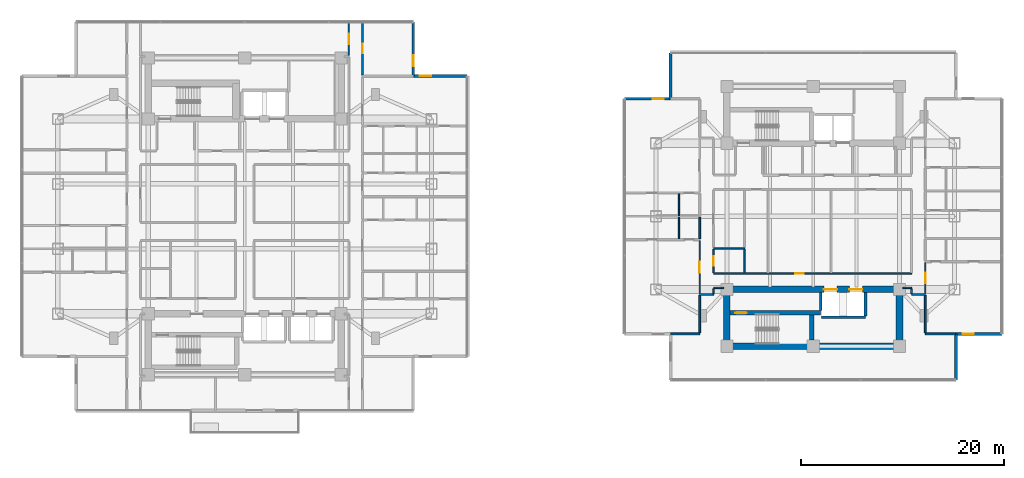
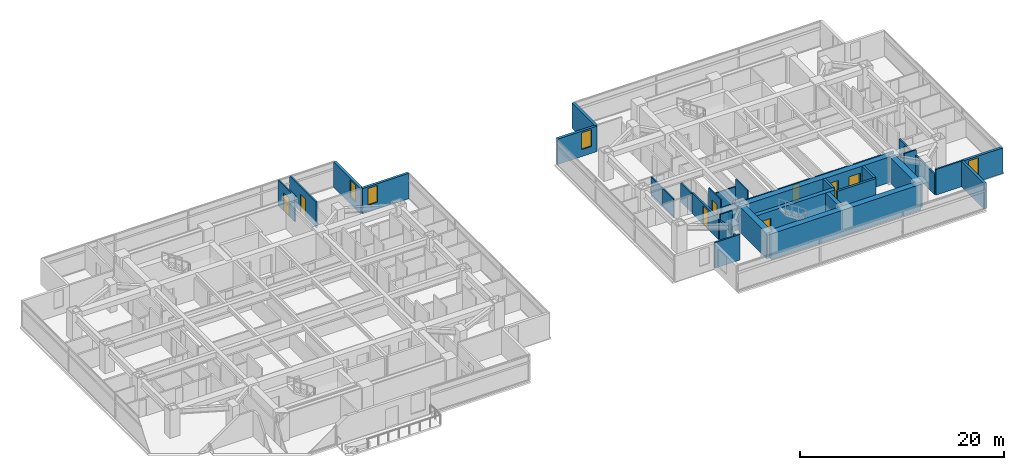
# One storey, part 17 of 26: 36 walls, 9 doors, 4 windows, 13 openings.
"""IFC4 building model written with IfcOpenShell, lengths in metres."""

from ifc_helpers import new_model, si_unit, direction, frame, frame_2d, origin, place, context, subcontext, project, spatial, rectangle, extrude, material, layer, layer_set, type_object, element, fill, save


model = new_model("IFC4")

# Units and contexts
model_context = context("Model", 3, precision=1e-05, world=origin(), true_north=direction((0.0, 1.0)))
body_context = subcontext(model_context, "Body", "Model", "MODEL_VIEW")
ifc_project = project(units=[si_unit("LENGTHUNIT", "METRE"), si_unit("AREAUNIT", "SQUARE_METRE"), si_unit("VOLUMEUNIT", "CUBIC_METRE"), si_unit("PLANEANGLEUNIT", "RADIAN"), si_unit("MASSUNIT", "GRAM", prefix="KILO")], contexts=[model_context])

# Site, building, storey
site_placement = place(None, origin())
site = spatial("IfcSite", under=ifc_project, at=site_placement, CompositionType="ELEMENT")
building_placement = place(site_placement, origin())
building = spatial("IfcBuilding", under=site, at=building_placement, Name="Mirazonda Arch Towers", CompositionType="ELEMENT")
storey_placement = place(building_placement, frame((0.0, 0.0, 108.199951171875)))
storey = spatial("IfcBuildingStorey", under=building, at=storey_placement, Name="L30", CompositionType="ELEMENT", Elevation=108.199951171875)

# Wall, opening, door
ifc_material_1 = material(Name="Concrete C50/60", Category="concrete")
ifc_layer_1 = layer(ifc_material_1, 0.449951171875, Name="WALL-CORE-450")
ifc_layer_set_1 = layer_set([ifc_layer_1], Name="Concrete C50/60")
wall_type_1 = type_object("IfcWallType", Name="WALL-CORE-450", PredefinedType="SHEAR", material=ifc_layer_set_1)
wall_1_placement = place(storey_placement, frame((68.320068359375, 18.5, 0.0), z_axis=(0.0, 0.0, 1.0), x_axis=(1.0, 0.0, 0.0)))
wall_1 = element("IfcWall", 1, at=wall_1_placement, inside=storey, type_object=wall_type_1, Name="L30 Stair Core Shear Wall 014", PredefinedType="SHEAR", context=body_context, shape_type="SweptSolid", body=[
    extrude(rectangle(XDim=8.89990234375, YDim=0.449951171875, at=frame_2d((4.449951171875, 0.0))), origin(), (0.0, 0.0, 1.0), 3.080078125),
])
opening_1_placement = place(wall_1_placement, frame((0.4951171875, 0.0, 0.0)))
opening_1 = element("IfcOpeningElement", 2, at=opening_1_placement, cuts=wall_1, Name="Opening DR-135", PredefinedType="OPENING", context=body_context, shape_type="SweptSolid", body=[
    extrude(rectangle(XDim=1.14990234375, YDim=2.199951171875, at=frame_2d((0.574951171875, 1.10009765625))), frame((0.0, 0.23486328125, 0.0), z_axis=(0.0, -1.0, 0.0), x_axis=(1.0, 0.0, 0.0)), (0.0, 0.0, 1.0), 0.469970703125),
])
ifc_material_2 = material(Name="Architectural Brushed Steel S355", Category="steel")
door_type_1 = type_object("IfcDoorType", Name="DOOR-STAIR-FD90-1150", OperationType="NOTDEFINED", PredefinedType="DOOR", material=ifc_material_2)
door_1_placement = place(opening_1_placement, origin())
door_1 = element("IfcDoor", 3, at=door_1_placement, inside=storey, type_object=door_type_1, Name="L30 East Protected Stair South Door", OperationType="SINGLE_SWING_RIGHT", OverallHeight=2.199951171875, OverallWidth=1.14990234375, PredefinedType="DOOR", context=body_context, shape_type="SweptSolid", body=[
    extrude(rectangle(XDim=1.14990234375, YDim=2.199951171875, at=frame_2d((0.574951171875, 1.10009765625))), frame((0.0, 0.02490234375, 0.0), z_axis=(0.0, -1.0, 0.0), x_axis=(1.0, 0.0, 0.0)), (0.0, 0.0, 1.0), 0.050048828125),
])
fill(opening_1, door_1)

# Walls
wall_2_placement = place(storey_placement, frame((76.360107421875, 15.81494140625, 0.0), z_axis=(0.0, 0.0, 1.0), x_axis=(0.0, 1.0, 0.0)))
element("IfcWall", 4, at=wall_2_placement, inside=storey, type_object=wall_type_1, Name="L30 Stair Core Shear Wall 150", PredefinedType="SHEAR", context=body_context, shape_type="SweptSolid", body=[
    extrude(rectangle(XDim=2.449951171875, YDim=0.449951171875, at=frame_2d((1.22509765625, 0.0))), origin(), (0.0, 0.0, 1.0), 3.080078125),
])
ifc_material_3 = material(Name="Concrete C60/75", Category="concrete")
ifc_layer_2 = layer(ifc_material_3, 0.64990234375, Name="WALL-CORE-650")
ifc_layer_set_2 = layer_set([ifc_layer_2], Name="Concrete C60/75")
wall_type_2 = type_object("IfcWallType", Name="WALL-CORE-650", PredefinedType="SHEAR", material=ifc_layer_set_2)
wall_3_placement = place(storey_placement, frame((68.0, 15.199951171875, 0.0), z_axis=(0.0, 0.0, 1.0), x_axis=(1.0, 0.0, 0.0)))
element("IfcWall", 5, at=wall_3_placement, inside=storey, type_object=wall_type_2, Name="L30 T2S-S Core Shear Wall", PredefinedType="SHEAR", context=body_context, shape_type="SweptSolid", body=[
    extrude(rectangle(XDim=17.0, YDim=0.64990234375, at=frame_2d((8.5, 0.0))), origin(), (0.0, 0.0, 1.0), 3.080078125),
])
for number, where, z_axis, x_axis, name in (
    (6, (68.0, 15.199951171875, 0.0), (0.0, 0.0, 1.0), (0.0, 1.0, 0.0), "L30 T2S-W Core Shear Wall"),
    (7, (85.0, 15.199951171875, 0.0), (0.0, 0.0, 1.0), (0.0, 1.0, 0.0), "L30 T2S-E Core Shear Wall"),
):
    element("IfcWall", number, at=place(storey_placement, frame(where, z_axis=z_axis, x_axis=x_axis)), inside=storey, type_object=wall_type_2, Name=name, PredefinedType="SHEAR", context=body_context, shape_type="SweptSolid", body=[
        extrude(rectangle(XDim=5.60009765625, YDim=0.64990234375, at=frame_2d((2.800048828125, 0.0))), origin(), (0.0, 0.0, 1.0), 3.080078125),
    ])

# Wall, openings, doors
wall_4_placement = place(storey_placement, frame((68.0, 20.800048828125, 0.0), z_axis=(0.0, 0.0, 1.0), x_axis=(1.0, 0.0, 0.0)))
wall_4 = element("IfcWall", 8, at=wall_4_placement, inside=storey, type_object=wall_type_2, Name="L30 T2S-N Core Shear Wall", PredefinedType="SHEAR", context=body_context, shape_type="SweptSolid", body=[
    extrude(rectangle(XDim=17.0, YDim=0.64990234375, at=frame_2d((8.5, 0.0))), origin(), (0.0, 0.0, 1.0), 3.080078125),
])
opening_2_placement = place(wall_4_placement, frame((9.550048828125, 0.0, 0.0)))
opening_2 = element("IfcOpeningElement", 9, at=opening_2_placement, cuts=wall_4, Name="Opening LD-111", PredefinedType="OPENING", context=body_context, shape_type="SweptSolid", body=[
    extrude(rectangle(XDim=1.300048828125, YDim=2.300048828125, at=frame_2d((0.64990234375, 1.14990234375))), frame((0.0, 0.3349609375, 0.0), z_axis=(0.0, -1.0, 0.0), x_axis=(1.0, 0.0, 0.0)), (0.0, 0.0, 1.0), 0.669921875),
])
opening_3_placement = place(wall_4_placement, frame((12.050048828125, 0.0, 0.0)))
opening_3 = element("IfcOpeningElement", 10, at=opening_3_placement, cuts=wall_4, Name="Opening LD-111", PredefinedType="OPENING", context=body_context, shape_type="SweptSolid", body=[
    extrude(rectangle(XDim=1.300048828125, YDim=2.300048828125, at=frame_2d((0.64990234375, 1.14990234375))), frame((0.0, 0.3349609375, 0.0), z_axis=(0.0, -1.0, 0.0), x_axis=(1.0, 0.0, 0.0)), (0.0, 0.0, 1.0), 0.669921875),
])
door_type_2 = type_object("IfcDoorType", Name="DOOR-LIFT-LAND-1300", OperationType="NOTDEFINED", PredefinedType="DOOR", material=ifc_material_2)
door_2_placement = place(opening_2_placement, origin())
door_2 = element("IfcDoor", 11, at=door_2_placement, inside=storey, type_object=door_type_2, Name="L30 Lift Landing Sliding Door PL-T2H1", OperationType="DOUBLE_DOOR_SLIDING", OverallHeight=2.300048828125, OverallWidth=1.300048828125, PredefinedType="DOOR", context=body_context, shape_type="SweptSolid", body=[
    extrude(rectangle(XDim=1.300048828125, YDim=2.300048828125, at=frame_2d((0.64990234375, 1.14990234375))), frame((0.0, 0.02490234375, 0.0), z_axis=(0.0, -1.0, 0.0), x_axis=(1.0, 0.0, 0.0)), (0.0, 0.0, 1.0), 0.050048828125),
])
fill(opening_2, door_2)
door_3_placement = place(opening_3_placement, origin())
door_3 = element("IfcDoor", 12, at=door_3_placement, inside=storey, type_object=door_type_2, Name="L30 Lift Landing Sliding Door PL-T2H2", OperationType="DOUBLE_DOOR_SLIDING", OverallHeight=2.300048828125, OverallWidth=1.300048828125, PredefinedType="DOOR", context=body_context, shape_type="SweptSolid", body=[
    extrude(rectangle(XDim=1.300048828125, YDim=2.300048828125, at=frame_2d((0.64990234375, 1.14990234375))), frame((0.0, 0.02490234375, 0.0), z_axis=(0.0, -1.0, 0.0), x_axis=(1.0, 0.0, 0.0)), (0.0, 0.0, 1.0), 0.050048828125),
])
fill(opening_3, door_3)

# Wall, opening, window
ifc_material_4 = material(Name="Precast Concrete C40/50", Category="concrete")
ifc_layer_3 = layer(ifc_material_4, 0.280029296875, Name="WALL-EXT-WALL-280")
ifc_layer_set_3 = layer_set([ifc_layer_3], Name="Precast Concrete C40/50")
wall_type_3 = type_object("IfcWallType", Name="WALL-EXT-WALL-280", PredefinedType="SOLIDWALL", material=ifc_layer_set_3)
wall_5_placement = place(storey_placement, frame((37.10498046875, 41.81298828125, 0.0), z_axis=(0.0, 0.0, 1.0), x_axis=(0.0, 1.0, 0.0)))
wall_5 = element("IfcWall", 13, at=wall_5_placement, inside=storey, type_object=wall_type_3, Name="L30 T1 Notched NE Corner Wall WL-L30-T1-CNE", PredefinedType="SOLIDWALL", context=body_context, shape_type="SweptSolid", body=[
    extrude(rectangle(XDim=5.304931640625, YDim=0.280029296875, at=frame_2d((2.65234375, 0.0))), origin(), (0.0, 0.0, 1.0), 3.06005859375),
])
opening_4_placement = place(wall_5_placement, frame((0.949951171875, 0.0, 0.85009765625)))
opening_4 = element("IfcOpeningElement", 14, at=opening_4_placement, cuts=wall_5, Name="Opening WN-108", PredefinedType="OPENING", context=body_context, shape_type="SweptSolid", body=[
    extrude(rectangle(XDim=1.10009765625, YDim=2.0, at=frame_2d((0.550048828125, 1.0))), frame((0.0, 0.14990234375, 0.0), z_axis=(0.0, -1.0, 0.0), x_axis=(1.0, 0.0, 0.0)), (0.0, 0.0, 1.0), 0.300048828125),
])
ifc_material_5 = material(Name="Insulated Low-E Solar Glass", Category="glass")
window_type = type_object("IfcWindowType", Name="WIN-NOTCH-1100x2000", PartitioningType="SINGLE_PANEL", PredefinedType="WINDOW", material=ifc_material_5)
window_1_placement = place(opening_4_placement, origin())
window_1 = element("IfcWindow", 15, at=window_1_placement, inside=storey, type_object=window_type, Name="L30 Punched Facade Window WN-L30-T1-CNE", OverallHeight=2.0, OverallWidth=1.10009765625, PartitioningType="SINGLE_PANEL", PredefinedType="WINDOW", context=body_context, shape_type="SweptSolid", body=[
    extrude(rectangle(XDim=1.10009765625, YDim=2.0, at=frame_2d((0.550048828125, 1.0))), frame((0.0, 0.030029296875, 0.0), z_axis=(0.0, -1.0, 0.0), x_axis=(1.0, 0.0, 0.0)), (0.0, 0.0, 1.0), 0.06005859375),
])
fill(opening_4, window_1)

wall_6_placement = place(storey_placement, frame((42.409912109375, 41.81298828125, 0.0), z_axis=(0.0, 0.0, 1.0), x_axis=(-1.0, 0.0, 0.0)))
wall_6 = element("IfcWall", 16, at=wall_6_placement, inside=storey, type_object=wall_type_3, Name="L30 T1 Corner Notch Return Wall WL-L30-T1-CNE2", PredefinedType="SOLIDWALL", context=body_context, shape_type="SweptSolid", body=[
    extrude(rectangle(XDim=5.304931640625, YDim=0.280029296875, at=frame_2d((2.65234375, 0.0))), origin(), (0.0, 0.0, 1.0), 3.06005859375),
])
opening_5_placement = place(wall_6_placement, frame((3.554931640625, 0.0, 0.85009765625)))
opening_5 = element("IfcOpeningElement", 17, at=opening_5_placement, cuts=wall_6, Name="Opening WN-108", PredefinedType="OPENING", context=body_context, shape_type="SweptSolid", body=[
    extrude(rectangle(XDim=1.10009765625, YDim=2.0, at=frame_2d((0.550048828125, 1.0))), frame((0.0, 0.14990234375, 0.0), z_axis=(0.0, -1.0, 0.0), x_axis=(1.0, 0.0, 0.0)), (0.0, 0.0, 1.0), 0.300048828125),
])
window_2_placement = place(opening_5_placement, origin())
window_2 = element("IfcWindow", 18, at=window_2_placement, inside=storey, type_object=window_type, Name="L30 Punched Facade Window WN-L30-T1-CNE2", OverallHeight=2.0, OverallWidth=1.10009765625, PartitioningType="SINGLE_PANEL", PredefinedType="WINDOW", context=body_context, shape_type="SweptSolid", body=[
    extrude(rectangle(XDim=1.10009765625, YDim=2.0, at=frame_2d((0.550048828125, 1.0))), frame((0.0, 0.030029296875, 0.0), z_axis=(0.0, -1.0, 0.0), x_axis=(1.0, 0.0, 0.0)), (0.0, 0.0, 1.0), 0.06005859375),
])
fill(opening_5, window_2)

wall_7_placement = place(storey_placement, frame((90.55419921875, 16.4189453125, 0.0), z_axis=(0.0, 0.0, 1.0), x_axis=(1.0, 0.0, 0.0)))
wall_7 = element("IfcWall", 19, at=wall_7_placement, inside=storey, type_object=wall_type_3, Name="L30 T2 Corner Notch Return Wall WL-L30-T2-CSE1", PredefinedType="SOLIDWALL", context=body_context, shape_type="SweptSolid", body=[
    extrude(rectangle(XDim=4.516357421875, YDim=0.280029296875, at=frame_2d((2.25830078125, 0.0))), origin(), (0.0, 0.0, 1.0), 3.06005859375),
])
opening_6_placement = place(wall_7_placement, frame((0.64990234375, 0.0, 0.85009765625)))
opening_6 = element("IfcOpeningElement", 20, at=opening_6_placement, cuts=wall_7, Name="Opening WN-108", PredefinedType="OPENING", context=body_context, shape_type="SweptSolid", body=[
    extrude(rectangle(XDim=1.10009765625, YDim=2.0, at=frame_2d((0.550048828125, 1.0))), frame((0.0, 0.14990234375, 0.0), z_axis=(0.0, -1.0, 0.0), x_axis=(1.0, 0.0, 0.0)), (0.0, 0.0, 1.0), 0.300048828125),
])
window_3_placement = place(opening_6_placement, origin())
window_3 = element("IfcWindow", 21, at=window_3_placement, inside=storey, type_object=window_type, Name="L30 Punched Facade Window WN-L30-T2-CSE1", OverallHeight=2.0, OverallWidth=1.10009765625, PartitioningType="SINGLE_PANEL", PredefinedType="WINDOW", context=body_context, shape_type="SweptSolid", body=[
    extrude(rectangle(XDim=1.10009765625, YDim=2.0, at=frame_2d((0.550048828125, 1.0))), frame((0.0, 0.030029296875, 0.0), z_axis=(0.0, -1.0, 0.0), x_axis=(1.0, 0.0, 0.0)), (0.0, 0.0, 1.0), 0.06005859375),
])
fill(opening_6, window_3)

# Wall
wall_8_placement = place(storey_placement, frame((90.55419921875, 11.902587890625, 0.0), z_axis=(0.0, 0.0, 1.0), x_axis=(0.0, 1.0, 0.0)))
element("IfcWall", 22, at=wall_8_placement, inside=storey, type_object=wall_type_3, Name="L30 T2 Corner Notch Return Wall WL-L30-T2-CSE2", PredefinedType="SOLIDWALL", context=body_context, shape_type="SweptSolid", body=[
    extrude(rectangle(XDim=4.516357421875, YDim=0.280029296875, at=frame_2d((2.25830078125, 0.0))), origin(), (0.0, 0.0, 1.0), 3.06005859375),
])

# Wall, opening, window
wall_9_placement = place(storey_placement, frame((62.44580078125, 39.5810546875, 0.0), z_axis=(0.0, 0.0, 1.0), x_axis=(-1.0, 0.0, 0.0)))
wall_9 = element("IfcWall", 23, at=wall_9_placement, inside=storey, type_object=wall_type_3, Name="L30 T2 Corner Notch Return Wall WL-L30-T2-CNW1", PredefinedType="SOLIDWALL", context=body_context, shape_type="SweptSolid", body=[
    extrude(rectangle(XDim=4.516357421875, YDim=0.280029296875, at=frame_2d((2.25830078125, 0.0))), origin(), (0.0, 0.0, 1.0), 3.06005859375),
])
opening_7_placement = place(wall_9_placement, frame((0.64990234375, 0.0, 0.85009765625)))
opening_7 = element("IfcOpeningElement", 24, at=opening_7_placement, cuts=wall_9, Name="Opening WN-108", PredefinedType="OPENING", context=body_context, shape_type="SweptSolid", body=[
    extrude(rectangle(XDim=1.10009765625, YDim=2.0, at=frame_2d((0.550048828125, 1.0))), frame((0.0, 0.14990234375, 0.0), z_axis=(0.0, -1.0, 0.0), x_axis=(1.0, 0.0, 0.0)), (0.0, 0.0, 1.0), 0.300048828125),
])
window_4_placement = place(opening_7_placement, origin())
window_4 = element("IfcWindow", 25, at=window_4_placement, inside=storey, type_object=window_type, Name="L30 Punched Facade Window WN-L30-T2-CNW1", OverallHeight=2.0, OverallWidth=1.10009765625, PartitioningType="SINGLE_PANEL", PredefinedType="WINDOW", context=body_context, shape_type="SweptSolid", body=[
    extrude(rectangle(XDim=1.10009765625, YDim=2.0, at=frame_2d((0.550048828125, 1.0))), frame((0.0, 0.030029296875, 0.0), z_axis=(0.0, -1.0, 0.0), x_axis=(1.0, 0.0, 0.0)), (0.0, 0.0, 1.0), 0.06005859375),
])
fill(opening_7, window_4)

# Walls
wall_10_placement = place(storey_placement, frame((62.44580078125, 44.097412109375, 0.0), z_axis=(0.0, 0.0, 1.0), x_axis=(0.0, -1.0, 0.0)))
element("IfcWall", 26, at=wall_10_placement, inside=storey, type_object=wall_type_3, Name="L30 T2 Corner Notch Return Wall WL-L30-T2-CNW2", PredefinedType="SOLIDWALL", context=body_context, shape_type="SweptSolid", body=[
    extrude(rectangle(XDim=4.516357421875, YDim=0.280029296875, at=frame_2d((2.25830078125, 0.0))), origin(), (0.0, 0.0, 1.0), 3.06005859375),
])
ifc_material_6 = material(Name="Fire-Rated Gypsum Stud Partition")
ifc_layer_4 = layer(ifc_material_6, 0.14990234375, Name="WALL-PART-CORR-150")
ifc_layer_set_4 = layer_set([ifc_layer_4], Name="Fire-Rated Gypsum Stud Partition")
wall_type_4 = type_object("IfcWallType", Name="WALL-PART-CORR-150", PredefinedType="PARTITIONING", material=ifc_layer_set_4)
wall_11_placement = place(storey_placement, frame((65.320068359375, 20.300048828125, 0.0), z_axis=(0.0, 0.0, 1.0), x_axis=(1.0, 0.0, 0.0)))
element("IfcWall", 27, at=wall_11_placement, inside=storey, type_object=wall_type_4, Name="L30 Interior Partition 018", PredefinedType="PARTITIONING", context=body_context, shape_type="SweptSolid", body=[
    extrude(rectangle(XDim=1.35986328125, YDim=0.14990234375, at=frame_2d((0.679931640625, 0.0))), origin(), (0.0, 0.0, 1.0), 3.080078125),
])
wall_12_placement = place(storey_placement, frame((86.179931640625, 20.300048828125, 0.0), z_axis=(0.0, 0.0, 1.0), x_axis=(1.0, 0.0, 0.0)))
element("IfcWall", 28, at=wall_12_placement, inside=storey, type_object=wall_type_4, Name="L30 Interior Partition 019", PredefinedType="PARTITIONING", context=body_context, shape_type="SweptSolid", body=[
    extrude(rectangle(XDim=1.360107421875, YDim=0.14990234375, at=frame_2d((0.68017578125, 0.0))), origin(), (0.0, 0.0, 1.0), 3.080078125),
])
wall_13_placement = place(storey_placement, frame((66.679931640625, 20.949951171875, 0.0), z_axis=(0.0, 0.0, 1.0), x_axis=(1.0, 0.0, 0.0)))
element("IfcWall", 29, at=wall_13_placement, inside=storey, type_object=wall_type_4, Name="L30 Interior Partition 020", PredefinedType="PARTITIONING", context=body_context, shape_type="SweptSolid", body=[
    extrude(rectangle(XDim=1.0, YDim=0.14990234375, at=frame_2d((0.5, 0.0))), origin(), (0.0, 0.0, 1.0), 2.47216796875),
])
wall_14_placement = place(storey_placement, frame((85.320068359375, 20.949951171875, 0.0), z_axis=(0.0, 0.0, 1.0), x_axis=(1.0, 0.0, 0.0)))
element("IfcWall", 30, at=wall_14_placement, inside=storey, type_object=wall_type_4, Name="L30 Interior Partition 021", PredefinedType="PARTITIONING", context=body_context, shape_type="SweptSolid", body=[
    extrude(rectangle(XDim=0.85986328125, YDim=0.14990234375, at=frame_2d((0.429931640625, 0.0))), origin(), (0.0, 0.0, 1.0), 2.47216796875),
])

# Wall, opening, door
wall_15_placement = place(storey_placement, frame((66.679931640625, 22.35009765625, 0.0), z_axis=(0.0, 0.0, 1.0), x_axis=(1.0, 0.0, 0.0)))
wall_15 = element("IfcWall", 31, at=wall_15_placement, inside=storey, type_object=wall_type_4, Name="L30 Interior Partition 023", PredefinedType="PARTITIONING", context=body_context, shape_type="SweptSolid", body=[
    extrude(rectangle(XDim=19.5, YDim=0.14990234375, at=frame_2d((9.75, 0.0))), origin(), (0.0, 0.0, 1.0), 2.14501953125),
])
opening_8_placement = place(wall_15_placement, frame((8.053466796875, 0.0, 0.0)))
opening_8 = element("IfcOpeningElement", 32, at=opening_8_placement, cuts=wall_15, Name="Opening DR-128", PredefinedType="OPENING", context=body_context, shape_type="SweptSolid", body=[
    extrude(rectangle(XDim=0.85009765625, YDim=2.010009765625, at=frame_2d((0.425048828125, 1.0048828125))), frame((0.0, 0.0849609375, 0.0), z_axis=(0.0, -1.0, 0.0), x_axis=(1.0, 0.0, 0.0)), (0.0, 0.0, 1.0), 0.169921875),
])
door_type_3 = type_object("IfcDoorType", Name="DOOR-RISER-FD60-850", OperationType="NOTDEFINED", PredefinedType="DOOR", material=ifc_material_2)
door_4_placement = place(opening_8_placement, origin())
door_4 = element("IfcDoor", 33, at=door_4_placement, inside=storey, type_object=door_type_3, Name="L30 Executive Club Lounge Door", OperationType="SINGLE_SWING_LEFT", OverallHeight=2.010009765625, OverallWidth=0.85009765625, PredefinedType="DOOR", context=body_context, shape_type="SweptSolid", body=[
    extrude(rectangle(XDim=0.85009765625, YDim=2.010009765625, at=frame_2d((0.425048828125, 1.0048828125))), frame((0.0, 0.02490234375, 0.0), z_axis=(0.0, -1.0, 0.0), x_axis=(1.0, 0.0, 0.0)), (0.0, 0.0, 1.0), 0.050048828125),
])
fill(opening_8, door_4)

# Wall
wall_16_placement = place(storey_placement, frame((66.679931640625, 24.85009765625, 0.0), z_axis=(0.0, 0.0, 1.0), x_axis=(1.0, 0.0, 0.0)))
element("IfcWall", 34, at=wall_16_placement, inside=storey, type_object=wall_type_4, Name="L30 Interior Partition 028", PredefinedType="PARTITIONING", context=body_context, shape_type="SweptSolid", body=[
    extrude(rectangle(XDim=3.070068359375, YDim=0.14990234375, at=frame_2d((1.53515625, 0.0))), origin(), (0.0, 0.0, 1.0), 2.14501953125),
])

# Wall, opening, door
wall_17_placement = place(storey_placement, frame((30.760009765625, 43.8349609375, 0.0), z_axis=(0.0, 0.0, 1.0), x_axis=(0.0, 1.0, 0.0)))
wall_17 = element("IfcWall", 35, at=wall_17_placement, inside=storey, type_object=wall_type_4, Name="L30 Interior Partition 112", PredefinedType="PARTITIONING", context=body_context, shape_type="SweptSolid", body=[
    extrude(rectangle(XDim=3.282958984375, YDim=0.14990234375, at=frame_2d((1.6416015625, 0.0))), origin(), (0.0, 0.0, 1.0), 3.080078125),
])
opening_9_placement = place(wall_17_placement, frame((1.116455078125, 0.0, 0.0)))
opening_9 = element("IfcOpeningElement", 36, at=opening_9_placement, cuts=wall_17, Name="Opening DR-121", PredefinedType="OPENING", context=body_context, shape_type="SweptSolid", body=[
    extrude(rectangle(XDim=1.050048828125, YDim=2.199951171875, at=frame_2d((0.52490234375, 1.10009765625))), frame((0.0, 0.0849609375, 0.0), z_axis=(0.0, -1.0, 0.0), x_axis=(1.0, 0.0, 0.0)), (0.0, 0.0, 1.0), 0.169921875),
])
door_type_4 = type_object("IfcDoorType", Name="DOOR-SUITE-FD60-1050", OperationType="NOTDEFINED", PredefinedType="DOOR", material=ifc_material_2)
door_5_placement = place(opening_9_placement, origin())
door_5 = element("IfcDoor", 37, at=door_5_placement, inside=storey, type_object=door_type_4, Name="L30 North Bay Sunroom Suite Door", OperationType="SINGLE_SWING_LEFT", OverallHeight=2.199951171875, OverallWidth=1.050048828125, PredefinedType="DOOR", context=body_context, shape_type="SweptSolid", body=[
    extrude(rectangle(XDim=1.050048828125, YDim=2.199951171875, at=frame_2d((0.52490234375, 1.10009765625))), frame((0.0, 0.02490234375, 0.0), z_axis=(0.0, -1.0, 0.0), x_axis=(1.0, 0.0, 0.0)), (0.0, 0.0, 1.0), 0.050048828125),
])
fill(opening_9, door_5)

# Wall
wall_18_placement = place(storey_placement, frame((66.679931640625, 20.385009765625, 0.0), z_axis=(0.0, 0.0, 1.0), x_axis=(0.0, 1.0, 0.0)))
element("IfcWall", 38, at=wall_18_placement, inside=storey, type_object=wall_type_4, Name="L30 Interior Partition 139", PredefinedType="PARTITIONING", context=body_context, shape_type="SweptSolid", body=[
    extrude(rectangle(XDim=0.47998046875, YDim=0.14990234375, at=frame_2d((0.239990234375, 0.0))), origin(), (0.0, 0.0, 1.0), 2.47216796875),
])

# Wall, opening, door
wall_19_placement = place(storey_placement, frame((66.679931640625, 22.43505859375, 0.0), z_axis=(0.0, 0.0, 1.0), x_axis=(0.0, 1.0, 0.0)))
wall_19 = element("IfcWall", 39, at=wall_19_placement, inside=storey, type_object=wall_type_4, Name="L30 Interior Partition 140", PredefinedType="PARTITIONING", context=body_context, shape_type="SweptSolid", body=[
    extrude(rectangle(XDim=2.329833984375, YDim=0.14990234375, at=frame_2d((1.1650390625, 0.0))), origin(), (0.0, 0.0, 1.0), 3.080078125),
])
opening_10_placement = place(wall_19_placement, frame((0.715087890625, 0.0, 0.0)))
opening_10 = element("IfcOpeningElement", 40, at=opening_10_placement, cuts=wall_19, Name="Opening DR-120", PredefinedType="OPENING", context=body_context, shape_type="SweptSolid", body=[
    extrude(rectangle(XDim=0.89990234375, YDim=2.10009765625, at=frame_2d((0.449951171875, 1.050048828125))), frame((0.0, 0.0849609375, 0.0), z_axis=(0.0, -1.0, 0.0), x_axis=(1.0, 0.0, 0.0)), (0.0, 0.0, 1.0), 0.169921875),
])
door_type_5 = type_object("IfcDoorType", Name="DOOR-WC-900", OperationType="NOTDEFINED", PredefinedType="DOOR", material=ifc_material_2)
door_6_placement = place(opening_10_placement, origin())
door_6 = element("IfcDoor", 41, at=door_6_placement, inside=storey, type_object=door_type_5, Name="L30 Tower 2 Common Accessible WC Door", OperationType="SINGLE_SWING_LEFT", OverallHeight=2.10009765625, OverallWidth=0.89990234375, PredefinedType="DOOR", context=body_context, shape_type="SweptSolid", body=[
    extrude(rectangle(XDim=0.89990234375, YDim=2.10009765625, at=frame_2d((0.449951171875, 1.050048828125))), frame((0.0, 0.02490234375, 0.0), z_axis=(0.0, -1.0, 0.0), x_axis=(1.0, 0.0, 0.0)), (0.0, 0.0, 1.0), 0.050048828125),
])
fill(opening_10, door_6)

# Walls
wall_20_placement = place(storey_placement, frame((69.743408203125, 22.43505859375, 0.0), z_axis=(0.0, 0.0, 1.0), x_axis=(0.0, 1.0, 0.0)))
element("IfcWall", 42, at=wall_20_placement, inside=storey, type_object=wall_type_4, Name="L30 Interior Partition 144", PredefinedType="PARTITIONING", context=body_context, shape_type="SweptSolid", body=[
    extrude(rectangle(XDim=2.329833984375, YDim=0.14990234375, at=frame_2d((1.1650390625, 0.0))), origin(), (0.0, 0.0, 1.0), 3.080078125),
])
wall_21_placement = place(storey_placement, frame((86.179931640625, 20.385009765625, 0.0), z_axis=(0.0, 0.0, 1.0), x_axis=(0.0, 1.0, 0.0)))
element("IfcWall", 43, at=wall_21_placement, inside=storey, type_object=wall_type_4, Name="L30 Interior Partition 159", PredefinedType="PARTITIONING", context=body_context, shape_type="SweptSolid", body=[
    extrude(rectangle(XDim=0.47998046875, YDim=0.14990234375, at=frame_2d((0.239990234375, 0.0))), origin(), (0.0, 0.0, 1.0), 2.47216796875),
])
ifc_material_7 = material(Name="Fire-Rated Gypsum Twin-Stud Assembly")
ifc_layer_5 = layer(ifc_material_7, 0.179931640625, Name="WALL-PART-DEMISE-180")
ifc_layer_set_5 = layer_set([ifc_layer_5], Name="Fire-Rated Gypsum Twin-Stud Assembly")
wall_type_5 = type_object("IfcWallType", Name="WALL-PART-DEMISE-180", PredefinedType="PARTITIONING", material=ifc_layer_set_5)
wall_22_placement = place(storey_placement, frame((62.4658203125, 16.4189453125, 0.0), z_axis=(0.0, 0.0, 1.0), x_axis=(1.0, 0.0, 0.0)))
element("IfcWall", 44, at=wall_22_placement, inside=storey, type_object=wall_type_5, Name="L30 Interior Partition 009", PredefinedType="PARTITIONING", context=body_context, shape_type="SweptSolid", body=[
    extrude(rectangle(XDim=2.854248046875, YDim=0.179931640625, at=frame_2d((1.42724609375, 0.0))), origin(), (0.0, 0.0, 1.0), 3.080078125),
])
wall_23_placement = place(storey_placement, frame((87.5400390625, 16.4189453125, 0.0), z_axis=(0.0, 0.0, 1.0), x_axis=(1.0, 0.0, 0.0)))
element("IfcWall", 45, at=wall_23_placement, inside=storey, type_object=wall_type_5, Name="L30 Interior Partition 010", PredefinedType="PARTITIONING", context=body_context, shape_type="SweptSolid", body=[
    extrude(rectangle(XDim=2.994140625, YDim=0.179931640625, at=frame_2d((1.4970703125, 0.0))), origin(), (0.0, 0.0, 1.0), 3.080078125),
])

# Wall, opening, door
wall_24_placement = place(storey_placement, frame((32.10009765625, 41.9130859375, 0.0), z_axis=(0.0, 0.0, 1.0), x_axis=(0.0, 1.0, 0.0)))
wall_24 = element("IfcWall", 46, at=wall_24_placement, inside=storey, type_object=wall_type_5, Name="L30 Interior Partition 122", PredefinedType="PARTITIONING", context=body_context, shape_type="SweptSolid", body=[
    extrude(rectangle(XDim=5.204833984375, YDim=0.179931640625, at=frame_2d((2.6025390625, 0.0))), origin(), (0.0, 0.0, 1.0), 3.080078125),
])
opening_11_placement = place(wall_24_placement, frame((2.12744140625, 0.0, 0.0)))
opening_11 = element("IfcOpeningElement", 47, at=opening_11_placement, cuts=wall_24, Name="Opening DR-104", PredefinedType="OPENING", context=body_context, shape_type="SweptSolid", body=[
    extrude(rectangle(XDim=0.949951171875, YDim=2.14990234375, at=frame_2d((0.47509765625, 1.074951171875))), frame((0.0, 0.099853515625, 0.0), z_axis=(0.0, -1.0, 0.0), x_axis=(1.0, 0.0, 0.0)), (0.0, 0.0, 1.0), 0.199951171875),
])
door_type_6 = type_object("IfcDoorType", Name="DOOR-ROOM-950", OperationType="NOTDEFINED", PredefinedType="DOOR", material=ifc_material_2)
door_7_placement = place(opening_11_placement, origin())
door_7 = element("IfcDoor", 48, at=door_7_placement, inside=storey, type_object=door_type_6, Name="L30 North Bay Sunroom Alcove East Door", OperationType="SINGLE_SWING_LEFT", OverallHeight=2.14990234375, OverallWidth=0.949951171875, PredefinedType="DOOR", context=body_context, shape_type="SweptSolid", body=[
    extrude(rectangle(XDim=0.949951171875, YDim=2.14990234375, at=frame_2d((0.47509765625, 1.074951171875))), frame((0.0, 0.02490234375, 0.0), z_axis=(0.0, -1.0, 0.0), x_axis=(1.0, 0.0, 0.0)), (0.0, 0.0, 1.0), 0.050048828125),
])
fill(opening_11, door_7)

# Wall
wall_25_placement = place(storey_placement, frame((65.320068359375, 16.51904296875, 0.0), z_axis=(0.0, 0.0, 1.0), x_axis=(0.0, 1.0, 0.0)))
element("IfcWall", 49, at=wall_25_placement, inside=storey, type_object=wall_type_5, Name="L30 Interior Partition 133", PredefinedType="PARTITIONING", context=body_context, shape_type="SweptSolid", body=[
    extrude(rectangle(XDim=3.696044921875, YDim=0.179931640625, at=frame_2d((1.84814453125, 0.0))), origin(), (0.0, 0.0, 1.0), 2.4560546875),
])

# Wall, opening, door
wall_26_placement = place(storey_placement, frame((65.320068359375, 20.385009765625, 0.0), z_axis=(0.0, 0.0, 1.0), x_axis=(0.0, 1.0, 0.0)))
wall_26 = element("IfcWall", 50, at=wall_26_placement, inside=storey, type_object=wall_type_5, Name="L30 Interior Partition 134", PredefinedType="PARTITIONING", context=body_context, shape_type="SweptSolid", body=[
    extrude(rectangle(XDim=5.215087890625, YDim=0.179931640625, at=frame_2d((2.607421875, 0.0))), origin(), (0.0, 0.0, 1.0), 2.47216796875),
])
opening_12_placement = place(wall_26_placement, frame((2.08251953125, 0.0, 0.0)))
opening_12 = element("IfcOpeningElement", 51, at=opening_12_placement, cuts=wall_26, Name="Opening DR-121", PredefinedType="OPENING", context=body_context, shape_type="SweptSolid", body=[
    extrude(rectangle(XDim=1.050048828125, YDim=2.199951171875, at=frame_2d((0.52490234375, 1.10009765625))), frame((0.0, 0.099853515625, 0.0), z_axis=(0.0, -1.0, 0.0), x_axis=(1.0, 0.0, 0.0)), (0.0, 0.0, 1.0), 0.199951171875),
])
door_8_placement = place(opening_12_placement, origin())
door_8 = element("IfcDoor", 52, at=door_8_placement, inside=storey, type_object=door_type_4, Name="L30 King Hotel Guestroom 1 Door", OperationType="SINGLE_SWING_RIGHT", OverallHeight=2.199951171875, OverallWidth=1.050048828125, PredefinedType="DOOR", context=body_context, shape_type="SweptSolid", body=[
    extrude(rectangle(XDim=1.050048828125, YDim=2.199951171875, at=frame_2d((0.52490234375, 1.10009765625))), frame((0.0, 0.02490234375, 0.0), z_axis=(0.0, -1.0, 0.0), x_axis=(1.0, 0.0, 0.0)), (0.0, 0.0, 1.0), 0.050048828125),
])
fill(opening_12, door_8)

# Walls
wall_27_placement = place(storey_placement, frame((65.320068359375, 25.800048828125, 0.0), z_axis=(0.0, 0.0, 1.0), x_axis=(0.0, 1.0, 0.0)))
element("IfcWall", 53, at=wall_27_placement, inside=storey, type_object=wall_type_5, Name="L30 Interior Partition 135", PredefinedType="PARTITIONING", context=body_context, shape_type="SweptSolid", body=[
    extrude(rectangle(XDim=2.12744140625, YDim=0.179931640625, at=frame_2d((1.063720703125, 0.0))), origin(), (0.0, 0.0, 1.0), 2.299072265625),
])
wall_28_placement = place(storey_placement, frame((87.5400390625, 16.51904296875, 0.0), z_axis=(0.0, 0.0, 1.0), x_axis=(0.0, 1.0, 0.0)))
element("IfcWall", 54, at=wall_28_placement, inside=storey, type_object=wall_type_5, Name="L30 Interior Partition 162", PredefinedType="PARTITIONING", context=body_context, shape_type="SweptSolid", body=[
    extrude(rectangle(XDim=3.696044921875, YDim=0.179931640625, at=frame_2d((1.84814453125, 0.0))), origin(), (0.0, 0.0, 1.0), 2.4560546875),
])

# Wall, opening, door
wall_29_placement = place(storey_placement, frame((87.5400390625, 20.385009765625, 0.0), z_axis=(0.0, 0.0, 1.0), x_axis=(0.0, 1.0, 0.0)))
wall_29 = element("IfcWall", 55, at=wall_29_placement, inside=storey, type_object=wall_type_5, Name="L30 Interior Partition 163", PredefinedType="PARTITIONING", context=body_context, shape_type="SweptSolid", body=[
    extrude(rectangle(XDim=3.049072265625, YDim=0.179931640625, at=frame_2d((1.5244140625, 0.0))), origin(), (0.0, 0.0, 1.0), 2.47216796875),
])
opening_13_placement = place(wall_29_placement, frame((0.99951171875, 0.0, 0.0)))
opening_13 = element("IfcOpeningElement", 56, at=opening_13_placement, cuts=wall_29, Name="Opening DR-121", PredefinedType="OPENING", context=body_context, shape_type="SweptSolid", body=[
    extrude(rectangle(XDim=1.050048828125, YDim=2.199951171875, at=frame_2d((0.52490234375, 1.10009765625))), frame((0.0, 0.099853515625, 0.0), z_axis=(0.0, -1.0, 0.0), x_axis=(1.0, 0.0, 0.0)), (0.0, 0.0, 1.0), 0.199951171875),
])
door_9_placement = place(opening_13_placement, origin())
door_9 = element("IfcDoor", 57, at=door_9_placement, inside=storey, type_object=door_type_4, Name="L30 King Hotel Guestroom 1 Door", OperationType="SINGLE_SWING_RIGHT", OverallHeight=2.199951171875, OverallWidth=1.050048828125, PredefinedType="DOOR", context=body_context, shape_type="SweptSolid", body=[
    extrude(rectangle(XDim=1.050048828125, YDim=2.199951171875, at=frame_2d((0.52490234375, 1.10009765625))), frame((0.0, 0.02490234375, 0.0), z_axis=(0.0, -1.0, 0.0), x_axis=(1.0, 0.0, 0.0)), (0.0, 0.0, 1.0), 0.050048828125),
])
fill(opening_13, door_9)

# Walls
ifc_material_8 = material(Name="Acoustic Fire-Rated Gypsum Partition")
ifc_layer_6 = layer(ifc_material_8, 0.125, Name="WALL-PART-UNIT-125")
ifc_layer_set_6 = layer_set([ifc_layer_6], Name="Acoustic Fire-Rated Gypsum Partition")
wall_type_6 = type_object("IfcWallType", Name="WALL-PART-UNIT-125", PredefinedType="PARTITIONING", material=ifc_layer_set_6)
wall_30_placement = place(storey_placement, frame((63.280029296875, 25.800048828125, 0.0), z_axis=(0.0, 0.0, 1.0), x_axis=(0.0, 1.0, 0.0)))
element("IfcWall", 58, at=wall_30_placement, inside=storey, type_object=wall_type_6, Name="L30 Interior Partition 131", PredefinedType="PARTITIONING", context=body_context, shape_type="SweptSolid", body=[
    extrude(rectangle(XDim=2.12744140625, YDim=0.125, at=frame_2d((1.063720703125, 0.0))), origin(), (0.0, 0.0, 1.0), 2.299072265625),
])
wall_31_placement = place(storey_placement, frame((63.280029296875, 28.072509765625, 0.0), z_axis=(0.0, 0.0, 1.0), x_axis=(0.0, 1.0, 0.0)))
element("IfcWall", 59, at=wall_31_placement, inside=storey, type_object=wall_type_6, Name="L30 Interior Partition 132", PredefinedType="PARTITIONING", context=body_context, shape_type="SweptSolid", body=[
    extrude(rectangle(XDim=2.142578125, YDim=0.125, at=frame_2d((1.0712890625, 0.0))), origin(), (0.0, 0.0, 1.0), 2.299072265625),
])
ifc_material_9 = material(Name="Concrete C40/50", Category="concrete")
ifc_layer_7 = layer(ifc_material_9, 0.25, Name="WALL-SHAFT-250")
ifc_layer_set_7 = layer_set([ifc_layer_7], Name="Concrete C40/50")
wall_type_7 = type_object("IfcWallType", Name="WALL-SHAFT-250", PredefinedType="SOLIDWALL", material=ifc_layer_set_7)
wall_32_placement = place(storey_placement, frame((77.300048828125, 18.050048828125, 0.0), z_axis=(0.0, 0.0, 1.0), x_axis=(1.0, 0.0, 0.0)))
element("IfcWall", 60, at=wall_32_placement, inside=storey, type_object=wall_type_7, Name="L30 Interior Partition 011", PredefinedType="SOLIDWALL", context=body_context, shape_type="SweptSolid", body=[
    extrude(rectangle(XDim=4.349853515625, YDim=0.25, at=frame_2d((2.1748046875, 0.0))), origin(), (0.0, 0.0, 1.0), 3.080078125),
])
wall_33_placement = place(storey_placement, frame((77.260009765625, 18.735107421875, 0.0), z_axis=(0.0, 0.0, 1.0), x_axis=(0.0, 1.0, 0.0)))
element("IfcWall", 61, at=wall_33_placement, inside=storey, type_object=wall_type_7, Name="L30 Interior Partition 152", PredefinedType="SOLIDWALL", context=body_context, shape_type="SweptSolid", body=[
    extrude(rectangle(XDim=1.744873046875, YDim=0.25, at=frame_2d((0.87255859375, 0.0))), origin(), (0.0, 0.0, 1.0), 3.080078125),
])
wall_34_placement = place(storey_placement, frame((81.64990234375, 18.18505859375, 0.0), z_axis=(0.0, 0.0, 1.0), x_axis=(0.0, 1.0, 0.0)))
element("IfcWall", 62, at=wall_34_placement, inside=storey, type_object=wall_type_7, Name="L30 Interior Partition 157", PredefinedType="SOLIDWALL", context=body_context, shape_type="SweptSolid", body=[
    extrude(rectangle(XDim=2.294921875, YDim=0.25, at=frame_2d((1.1474609375, 0.0))), origin(), (0.0, 0.0, 1.0), 3.080078125),
])

save(model, "model.ifc")
